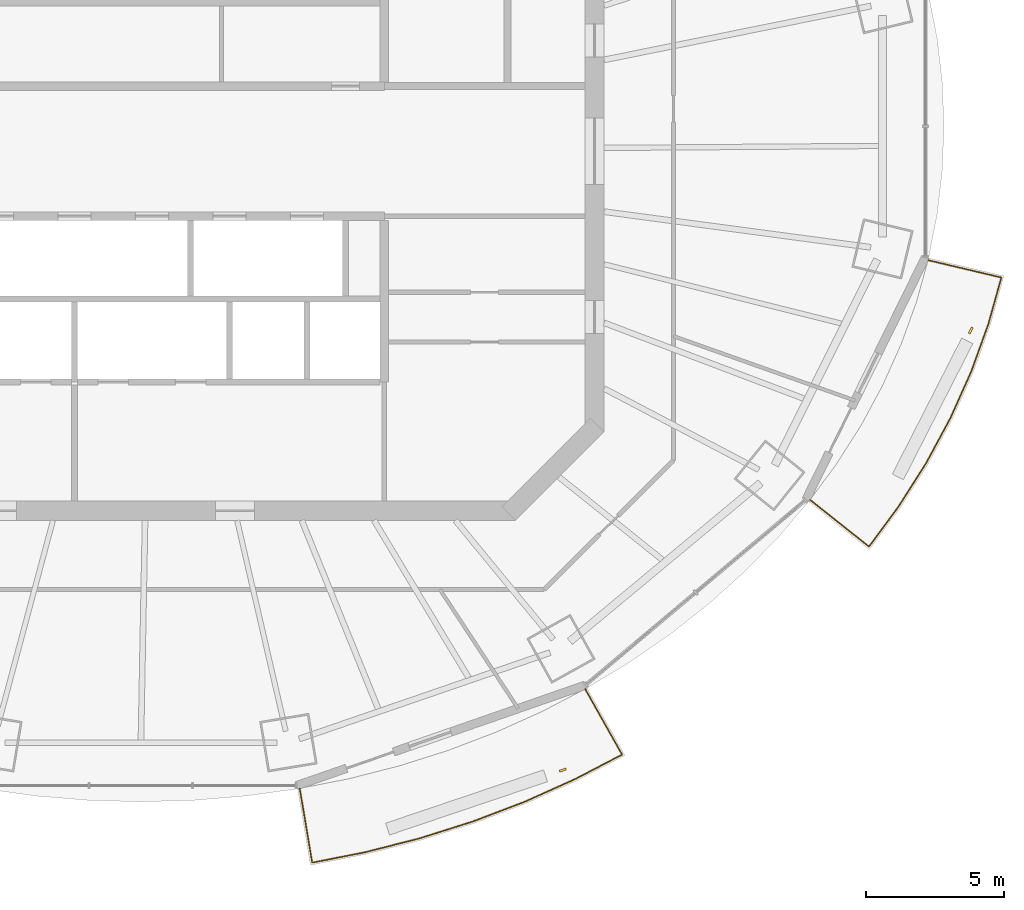
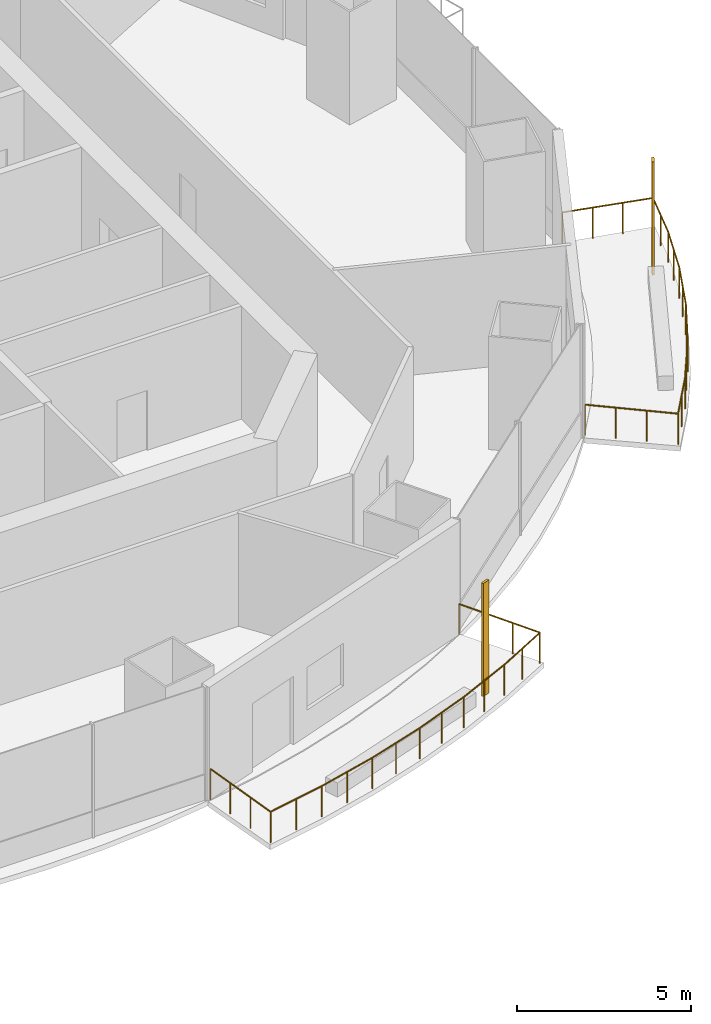
# One storey, part 13 of 16: 2 railings, 2 shading devices.
"""IFC4 building model written with IfcOpenShell, lengths in metres."""

from ifc_helpers import new_model, si_unit, direction, frame, origin, origin_2d, place, context, subcontext, project, spatial, rectangle, circle, extrude, material, material_profile, profile_set, type_object, element, save


model = new_model("IFC4")

# Units and contexts
model_context = context("Model", 3, precision=1e-05, world=origin(), true_north=direction((0.0, 1.0)))
body_context = subcontext(model_context, "Body", "Model", "MODEL_VIEW")
ifc_project = project(units=[si_unit("LENGTHUNIT", "METRE"), si_unit("AREAUNIT", "SQUARE_METRE"), si_unit("VOLUMEUNIT", "CUBIC_METRE"), si_unit("PLANEANGLEUNIT", "RADIAN"), si_unit("MASSUNIT", "GRAM", prefix="KILO")], contexts=[model_context])

# Site, building, storey
site_placement = place(None, origin())
site = spatial("IfcSite", under=ifc_project, at=site_placement, CompositionType="ELEMENT")
building_placement = place(site_placement, origin())
building = spatial("IfcBuilding", under=site, at=building_placement, Name="Marenthal Gate Tower", CompositionType="ELEMENT")
storey_placement = place(building_placement, frame((0.0, 0.0, 284.5)))
storey = spatial("IfcBuildingStorey", under=building, at=storey_placement, Name="L63", CompositionType="ELEMENT", Elevation=284.5)

# Railings
ifc_material_1 = material(Name="Stainless steel", Category="steel")
railing_type = type_object("IfcRailingType", Name="Balcony guard 1100", PredefinedType="GUARDRAIL", material=ifc_material_1)
railing_1_placement = place(storey_placement, frame((15.662841796875, -19.4462890625, 0.0)))
element("IfcRailing", 1, at=railing_1_placement, inside=storey, type_object=railing_type, Name="Balcony guard L63 bay 13", PredefinedType="GUARDRAIL", context=body_context, shape_type="SweptSolid", body=[
    extrude(circle(Radius=0.02392578125, at=origin_2d()), frame((0.0, 0.0, 1.076171875), z_axis=(0.490216651265, -0.871476324383, -0.014719064593), x_axis=(0.871570742774, 0.490269762825, 0.0)), (0.0, 0.0, 1.0), 2.72021484375),
    extrude(circle(Radius=0.02392578125, at=origin_2d()), frame((1.33349609375, -2.37060546875, 1.0361328125), z_axis=(-0.886680853455, -0.46238194614, 0.0), x_axis=(0.46238194614, -0.886680853455, 0.0)), (0.0, 0.0, 1.0), 1.904052734375),
    extrude(circle(Radius=0.02392578125, at=origin_2d()), frame((-0.354736328125, -3.2509765625, 1.0361328125), z_axis=(-0.912074652347, -0.41002418044, 0.0), x_axis=(0.41002418044, -0.912074652347, 0.0)), (0.0, 0.0, 1.0), 1.99755859375),
    extrude(circle(Radius=0.02392578125, at=origin_2d()), frame((-2.1767578125, -4.070068359375, 1.0361328125), z_axis=(-0.934433846475, -0.356136752614, 0.0), x_axis=(0.356136752614, -0.934433846475, 0.0)), (0.0, 0.0, 1.0), 2.010009765625),
    extrude(circle(Radius=0.02392578125, at=origin_2d()), frame((-4.054931640625, -4.785888671875, 1.0361328125), z_axis=(-0.953335850503, -0.301911835054, 0.0), x_axis=(0.301911835054, -0.953335850503, 0.0)), (0.0, 0.0, 1.0), 2.020751953125),
    extrude(circle(Radius=0.02392578125, at=origin_2d()), frame((-5.9814453125, -5.39599609375, 1.0361328125), z_axis=(-0.968956946338, -0.24722952118, 0.0), x_axis=(0.24722952118, -0.968956946338, 0.0)), (0.0, 0.0, 1.0), 2.0302734375),
    extrude(circle(Radius=0.02392578125, at=origin_2d()), frame((-7.94873046875, -5.89794921875, 1.0361328125), z_axis=(-0.981095216908, -0.193525645226, 0.0), x_axis=(0.193525645226, -0.981095216908, 0.0)), (0.0, 0.0, 1.0), 1.9580078125),
    extrude(circle(Radius=0.02392578125, at=origin_2d()), frame((-9.86962890625, -6.27685546875, 1.0361328125), z_axis=(-0.16513793129, 0.986160646201, 0.014718815615), x_axis=(-0.986267486225, -0.165155822229, 0.0)), (0.0, 0.0, 1.0), 2.72021484375),
    extrude(circle(Radius=0.02099609375, at=origin_2d()), origin(), (0.0, 0.0, 1.0), 1.052001953125),
    extrude(circle(Radius=0.02099609375, at=origin_2d()), frame((0.444580078125, -0.790283203125, -0.013427734375)), (0.0, 0.0, 1.0), 1.052001953125),
    extrude(circle(Radius=0.02099609375, at=origin_2d()), frame((0.888916015625, -1.580322265625, -0.026611328125)), (0.0, 0.0, 1.0), 1.052001953125),
    extrude(circle(Radius=0.02099609375, at=origin_2d()), frame((1.33349609375, -2.37060546875, -0.0400390625)), (0.0, 0.0, 1.0), 1.052001953125),
    extrude(circle(Radius=0.02099609375, at=origin_2d()), frame((0.4892578125, -2.810791015625, -0.0400390625)), (0.0, 0.0, 1.0), 1.052001953125),
    extrude(circle(Radius=0.02099609375, at=origin_2d()), frame((-0.354736328125, -3.2509765625, -0.0400390625)), (0.0, 0.0, 1.0), 1.052001953125),
    extrude(circle(Radius=0.02099609375, at=origin_2d()), frame((-1.265625, -3.66064453125, -0.0400390625)), (0.0, 0.0, 1.0), 1.052001953125),
    extrude(circle(Radius=0.02099609375, at=origin_2d()), frame((-2.1767578125, -4.070068359375, -0.0400390625)), (0.0, 0.0, 1.0), 1.052001953125),
    extrude(circle(Radius=0.02099609375, at=origin_2d()), frame((-3.11572265625, -4.427978515625, -0.0400390625)), (0.0, 0.0, 1.0), 1.052001953125),
    extrude(circle(Radius=0.02099609375, at=origin_2d()), frame((-4.054931640625, -4.785888671875, -0.0400390625)), (0.0, 0.0, 1.0), 1.052001953125),
    extrude(circle(Radius=0.02099609375, at=origin_2d()), frame((-5.01806640625, -5.0908203125, -0.0400390625)), (0.0, 0.0, 1.0), 1.052001953125),
    extrude(circle(Radius=0.02099609375, at=origin_2d()), frame((-5.9814453125, -5.39599609375, -0.0400390625)), (0.0, 0.0, 1.0), 1.052001953125),
    extrude(circle(Radius=0.02099609375, at=origin_2d()), frame((-6.965087890625, -5.64697265625, -0.0400390625)), (0.0, 0.0, 1.0), 1.052001953125),
    extrude(circle(Radius=0.02099609375, at=origin_2d()), frame((-7.94873046875, -5.89794921875, -0.0400390625)), (0.0, 0.0, 1.0), 1.052001953125),
    extrude(circle(Radius=0.02099609375, at=origin_2d()), frame((-8.9091796875, -6.08740234375, -0.0400390625)), (0.0, 0.0, 1.0), 1.052001953125),
    extrude(circle(Radius=0.02099609375, at=origin_2d()), frame((-9.86962890625, -6.27685546875, -0.0400390625)), (0.0, 0.0, 1.0), 1.052001953125),
    extrude(circle(Radius=0.02099609375, at=origin_2d()), frame((-10.019287109375, -5.382568359375, -0.026611328125)), (0.0, 0.0, 1.0), 1.052001953125),
    extrude(circle(Radius=0.02099609375, at=origin_2d()), frame((-10.169189453125, -4.488525390625, -0.013427734375)), (0.0, 0.0, 1.0), 1.052001953125),
    extrude(circle(Radius=0.02099609375, at=origin_2d()), frame((-10.31884765625, -3.59423828125, 0.0)), (0.0, 0.0, 1.0), 1.052001953125),
])
railing_2_placement = place(storey_placement, frame((28.0615234375, -3.942626953125, 0.0)))
element("IfcRailing", 2, at=railing_2_placement, inside=storey, type_object=railing_type, Name="Balcony guard L63 bay 15", PredefinedType="GUARDRAIL", context=body_context, shape_type="SweptSolid", body=[
    extrude(circle(Radius=0.02392578125, at=origin_2d()), frame((0.0, 0.0, 1.076171875), z_axis=(0.973117172157, -0.229839811666, -0.014718363574), x_axis=(0.229864710837, 0.973222592582, 0.0)), (0.0, 0.0, 1.0), 2.720458984375),
    extrude(circle(Radius=0.02392578125, at=origin_2d()), frame((2.647216796875, -0.625244140625, 1.0361328125), z_axis=(-0.268792920524, -0.963197988929, 0.0), x_axis=(0.963197988929, -0.268792920524, 0.0)), (0.0, 0.0, 1.0), 1.7421875),
    extrude(circle(Radius=0.02392578125, at=origin_2d()), frame((2.178955078125, -2.30322265625, 1.0361328125), z_axis=(-0.339224848664, -0.94070532158, 0.0), x_axis=(0.94070532158, -0.339224848664, 0.0)), (0.0, 0.0, 1.0), 1.830322265625),
    extrude(circle(Radius=0.02392578125, at=origin_2d()), frame((1.55810546875, -4.02490234375, 1.0361328125), z_axis=(-0.408427160426, -0.912790915066, 0.0), x_axis=(0.912790915066, -0.408427160426, 0.0)), (0.0, 0.0, 1.0), 1.83984375),
    extrude(circle(Radius=0.02392578125, at=origin_2d()), frame((0.806640625, -5.704345703125, 1.0361328125), z_axis=(-0.474178476771, -0.880428743379, 0.0), x_axis=(0.880428743379, -0.474178476771, 0.0)), (0.0, 0.0, 1.0), 1.85107421875),
    extrude(circle(Radius=0.02392578125, at=origin_2d()), frame((-0.071044921875, -7.333984375, 1.0361328125), z_axis=(-0.536341470097, -0.844001082614, 0.0), x_axis=(0.844001082614, -0.536341470097, 0.0)), (0.0, 0.0, 1.0), 1.864013671875),
    extrude(circle(Radius=0.02392578125, at=origin_2d()), frame((-1.07080078125, -8.9072265625, 1.0361328125), z_axis=(-0.593175870863, -0.805072907398, 0.0), x_axis=(0.805072907398, -0.593175870863, 0.0)), (0.0, 0.0, 1.0), 1.79736328125),
    extrude(circle(Radius=0.02392578125, at=origin_2d()), frame((-2.136962890625, -10.354248046875, 1.0361328125), z_axis=(-0.783212380728, 0.621580033106, 0.014718325936), x_axis=(-0.621647370214, -0.783297227817, 0.0)), (0.0, 0.0, 1.0), 2.720458984375),
    extrude(circle(Radius=0.02099609375, at=origin_2d()), origin(), (0.0, 0.0, 1.0), 1.052001953125),
    extrude(circle(Radius=0.02099609375, at=origin_2d()), frame((0.88232421875, -0.20849609375, -0.013427734375)), (0.0, 0.0, 1.0), 1.052001953125),
    extrude(circle(Radius=0.02099609375, at=origin_2d()), frame((1.764892578125, -0.416748046875, -0.026611328125)), (0.0, 0.0, 1.0), 1.052001953125),
    extrude(circle(Radius=0.02099609375, at=origin_2d()), frame((2.647216796875, -0.625244140625, -0.0400390625)), (0.0, 0.0, 1.0), 1.052001953125),
    extrude(circle(Radius=0.02099609375, at=origin_2d()), frame((2.4130859375, -1.46435546875, -0.0400390625)), (0.0, 0.0, 1.0), 1.052001953125),
    extrude(circle(Radius=0.02099609375, at=origin_2d()), frame((2.178955078125, -2.30322265625, -0.0400390625)), (0.0, 0.0, 1.0), 1.052001953125),
    extrude(circle(Radius=0.02099609375, at=origin_2d()), frame((1.86865234375, -3.1640625, -0.0400390625)), (0.0, 0.0, 1.0), 1.052001953125),
    extrude(circle(Radius=0.02099609375, at=origin_2d()), frame((1.55810546875, -4.02490234375, -0.0400390625)), (0.0, 0.0, 1.0), 1.052001953125),
    extrude(circle(Radius=0.02099609375, at=origin_2d()), frame((1.182373046875, -4.86474609375, -0.0400390625)), (0.0, 0.0, 1.0), 1.052001953125),
    extrude(circle(Radius=0.02099609375, at=origin_2d()), frame((0.806640625, -5.704345703125, -0.0400390625)), (0.0, 0.0, 1.0), 1.052001953125),
    extrude(circle(Radius=0.02099609375, at=origin_2d()), frame((0.36767578125, -6.51904296875, -0.0400390625)), (0.0, 0.0, 1.0), 1.052001953125),
    extrude(circle(Radius=0.02099609375, at=origin_2d()), frame((-0.071044921875, -7.333984375, -0.0400390625)), (0.0, 0.0, 1.0), 1.052001953125),
    extrude(circle(Radius=0.02099609375, at=origin_2d()), frame((-0.57080078125, -8.12060546875, -0.0400390625)), (0.0, 0.0, 1.0), 1.052001953125),
    extrude(circle(Radius=0.02099609375, at=origin_2d()), frame((-1.07080078125, -8.9072265625, -0.0400390625)), (0.0, 0.0, 1.0), 1.052001953125),
    extrude(circle(Radius=0.02099609375, at=origin_2d()), frame((-1.60400390625, -9.630859375, -0.0400390625)), (0.0, 0.0, 1.0), 1.052001953125),
    extrude(circle(Radius=0.02099609375, at=origin_2d()), frame((-2.136962890625, -10.354248046875, -0.0400390625)), (0.0, 0.0, 1.0), 1.052001953125),
    extrude(circle(Radius=0.02099609375, at=origin_2d()), frame((-2.84716796875, -9.79052734375, -0.026611328125)), (0.0, 0.0, 1.0), 1.052001953125),
    extrude(circle(Radius=0.02099609375, at=origin_2d()), frame((-3.557373046875, -9.22705078125, -0.013427734375)), (0.0, 0.0, 1.0), 1.052001953125),
    extrude(circle(Radius=0.02099609375, at=origin_2d()), frame((-4.267578125, -8.663330078125, 0.0)), (0.0, 0.0, 1.0), 1.052001953125),
])

# Shading devices
ifc_material_2 = material(Name="Terracotta", Category="masonry")
ifc_material_profile = material_profile(ifc_material_2, rectangle(XDim=0.25, YDim=0.080078125, at=origin_2d()), Name="Terracotta baguette 250x80")
ifc_profile_set = profile_set([ifc_material_profile], Name="Terracotta")
shading_device_type = type_object("IfcShadingDeviceType", Name="Terracotta BAGUETTE SCREEN 250x80", PredefinedType="USERDEFINED", material=ifc_profile_set)
for number, where, z_axis, x_axis, name in (
    (3, (14.853515625, -22.376708984375, -0.0400390625), (0.0, 0.0, 1.0), (0.944304873933, 0.329071884345, 0.0), "Terracotta BAGUETTE L63 bay 13R"),
    (4, (29.602294921875, -6.4853515625, -0.0400390625), (0.0, 0.0, 1.0), (0.441711416968, 0.897157190307, 0.0), "Terracotta BAGUETTE L63 bay 15R"),
):
    element("IfcShadingDevice", number, at=place(storey_placement, frame(where, z_axis=z_axis, x_axis=x_axis)), inside=storey, type_object=shading_device_type, Name=name, ObjectType="BAGUETTE SCREEN", PredefinedType="USERDEFINED", context=body_context, shape_type="SweptSolid", body=[
        extrude(rectangle(XDim=0.25, YDim=0.080078125, at=origin_2d()), origin(), (0.0, 0.0, 1.0), 3.969970703125),
    ])

save(model, "model.ifc")
